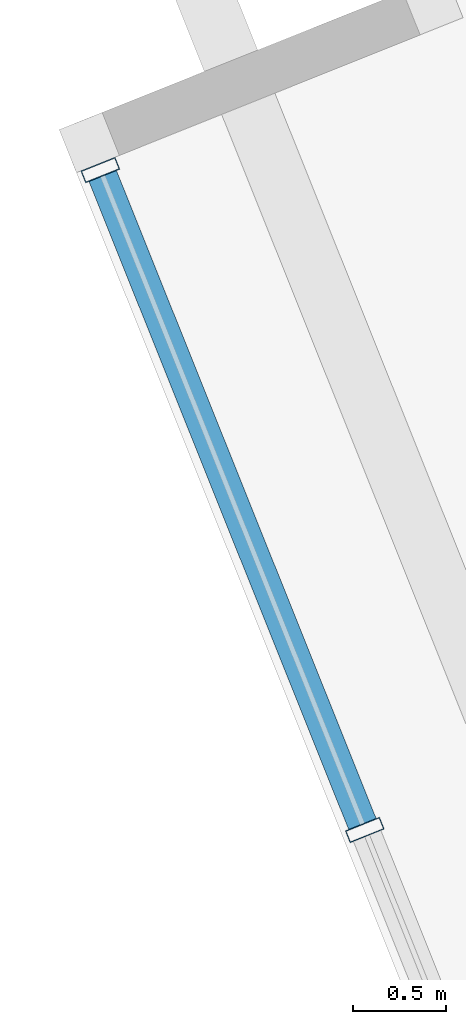
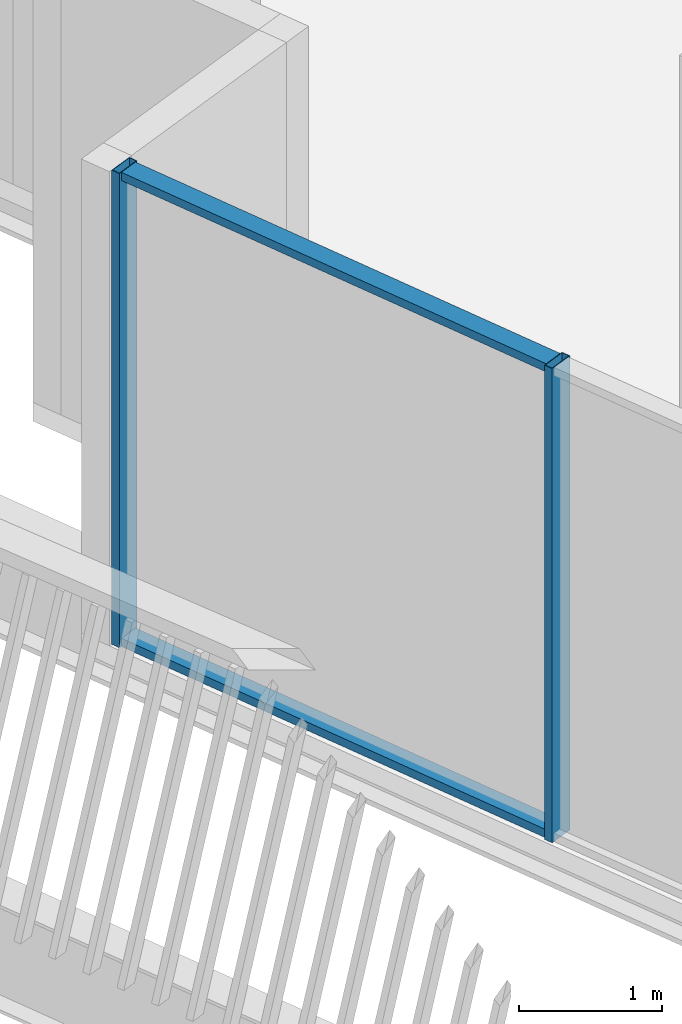
# One storey, part 5 of 27: 4 members, 1 element without a shape of its own.
"""IFC4 building model written with IfcOpenShell, lengths in metres."""

from ifc_helpers import new_model, si_unit, direction, frame, origin, origin_2d, place, context, subcontext, project, spatial, hollow_rectangle, extrude, material, layer, layer_set, material_profile, profile_set, type_object, element, aggregate, save


model = new_model("IFC4")

# Units and contexts
model_context = context("Model", 3, precision=1e-05, world=origin(), true_north=direction((0.0, 1.0)))
body_context = subcontext(model_context, "Body", "Model", "MODEL_VIEW")
ifc_project = project(units=[si_unit("LENGTHUNIT", "METRE"), si_unit("AREAUNIT", "SQUARE_METRE"), si_unit("VOLUMEUNIT", "CUBIC_METRE"), si_unit("PLANEANGLEUNIT", "RADIAN"), si_unit("MASSUNIT", "GRAM", prefix="KILO")], contexts=[model_context])

# Site, building, storey
site_placement = place(None, origin())
site = spatial("IfcSite", under=ifc_project, at=site_placement, CompositionType="ELEMENT")
building_placement = place(site_placement, origin())
building = spatial("IfcBuilding", under=site, at=building_placement, Name="Tarsis Ring Headquarters", CompositionType="ELEMENT")
storey_placement = place(building_placement, frame((0.0, 0.0, 373.39990234375)))
storey = spatial("IfcBuildingStorey", under=building, at=storey_placement, Name="L88", CompositionType="ELEMENT", Elevation=373.39990234375)

# Curtain wall, members
ifc_material_1 = material(Name="Aluminium curtain wall", Category="aluminium")
ifc_layer = layer(ifc_material_1, 0.199951171875)
ifc_layer_set = layer_set([ifc_layer], Name="Curtain wall executive tip")
curtain_wall_type = type_object("IfcCurtainWallType", Name="Curtain wall executive tip", PredefinedType="NOTDEFINED", material=ifc_layer_set)
curtain_wall_placement = place(storey_placement, origin())
curtain_wall = element("IfcCurtainWall", 1, at=curtain_wall_placement, inside=storey, type_object=curtain_wall_type, Name="Curtain wall L88-36", PredefinedType="NOTDEFINED")
ifc_material_2 = material(Name="Aluminium mullion", Category="aluminium")
ifc_material_profile_1 = material_profile(ifc_material_2, hollow_rectangle(XDim=0.199951171875, YDim=0.070068359375, WallThickness=0.0048828125, at=origin_2d()), Name="RHS 200x70x5")
ifc_profile_set_1 = profile_set([ifc_material_profile_1], Name="Aluminium mullion")
member_type_1 = type_object("IfcMemberType", Name="Curtain wall mullion executive tip RHS 200x70x5", PredefinedType="MULLION", material=ifc_profile_set_1)
member_1_placement = place(storey_placement, frame((-39.883056640625, -7.6728515625, 0.0), z_axis=(0.0, 0.0, 1.0), x_axis=(0.928226340133, 0.372015942513, 0.0)))
member_1 = element("IfcMember", 2, at=member_1_placement, type_object=member_type_1, Name="CW-E mullion 1", PredefinedType="MULLION", context=body_context, shape_type="SweptSolid", body=[
    extrude(hollow_rectangle(XDim=0.199951171875, YDim=0.070068359375, WallThickness=0.0048828125, at=origin_2d()), origin(), (0.0, 0.0, 1.0), 4.0400390625),
])
member_2_placement = place(storey_placement, frame((-38.45458984375, -11.2373046875, 0.0), z_axis=(0.0, 0.0, 1.0), x_axis=(0.928226340133, 0.372015942513, 0.0)))
member_2 = element("IfcMember", 3, at=member_2_placement, type_object=member_type_1, Name="CW-E mullion 2", PredefinedType="MULLION", context=body_context, shape_type="SweptSolid", body=[
    extrude(hollow_rectangle(XDim=0.199951171875, YDim=0.070068359375, WallThickness=0.0048828125, at=origin_2d()), origin(), (0.0, 0.0, 1.0), 4.0400390625),
])
ifc_material_3 = material(Name="Aluminium transom", Category="aluminium")
ifc_material_profile_2 = material_profile(ifc_material_3, hollow_rectangle(XDim=0.159912109375, YDim=0.070068359375, WallThickness=0.0048828125, at=origin_2d()), Name="RHS 160x70x5")
ifc_profile_set_2 = profile_set([ifc_material_profile_2], Name="Aluminium transom")
member_type_2 = type_object("IfcMemberType", Name="Curtain wall transom executive tip RHS 160x70x5", PredefinedType="USERDEFINED", material=ifc_profile_set_2)
member_3_placement = place(storey_placement, frame((-39.8701171875, -7.705322265625, 0.03515625), z_axis=(0.372026990736, -0.928221912133, 0.0), x_axis=(0.928221912133, 0.372026990736, 0.0)))
member_3 = element("IfcMember", 4, at=member_3_placement, type_object=member_type_2, Name="CW-E transom 1.1", ObjectType="TRANSOM", PredefinedType="USERDEFINED", context=body_context, shape_type="SweptSolid", body=[
    extrude(hollow_rectangle(XDim=0.159912109375, YDim=0.070068359375, WallThickness=0.0048828125, at=origin_2d()), origin(), (0.0, 0.0, 1.0), 3.77001953125),
])
member_4_placement = place(storey_placement, frame((-39.8701171875, -7.705322265625, 4.005126953125), z_axis=(0.372026990736, -0.928221912133, 0.0), x_axis=(0.928221912133, 0.372026990736, 0.0)))
member_4 = element("IfcMember", 5, at=member_4_placement, type_object=member_type_2, Name="CW-E transom 1.2", ObjectType="TRANSOM", PredefinedType="USERDEFINED", context=body_context, shape_type="SweptSolid", body=[
    extrude(hollow_rectangle(XDim=0.159912109375, YDim=0.070068359375, WallThickness=0.0048828125, at=origin_2d()), origin(), (0.0, 0.0, 1.0), 3.77001953125),
])
aggregate(curtain_wall, [member_1, member_2, member_3, member_4])

save(model, "model.ifc")
